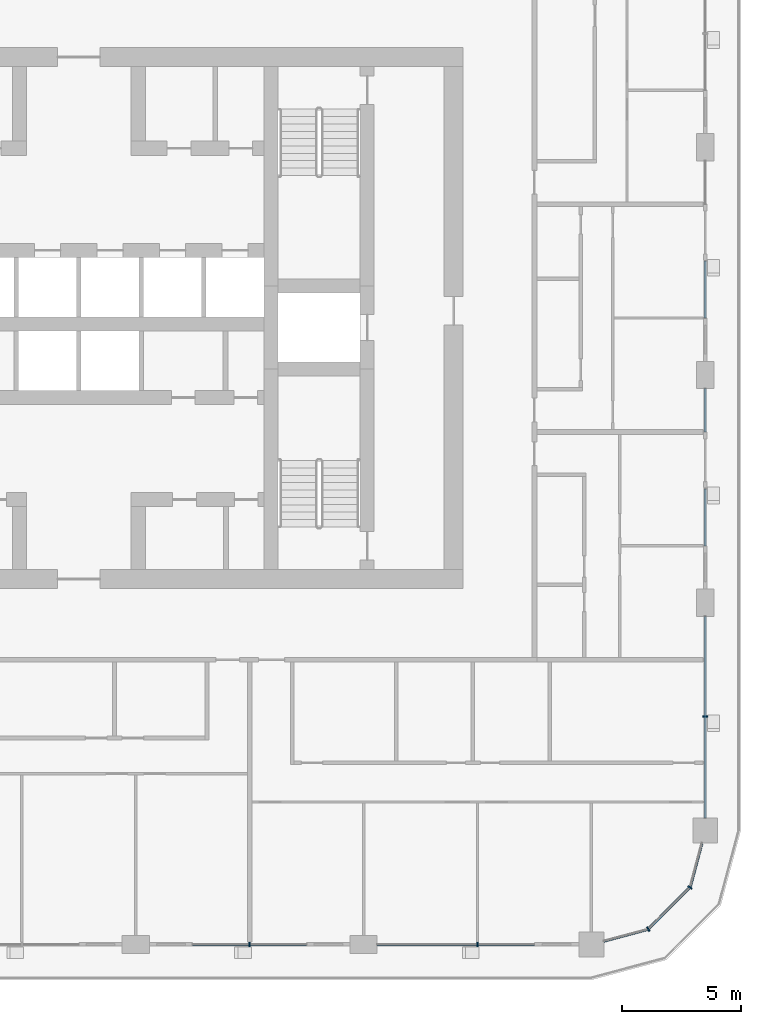
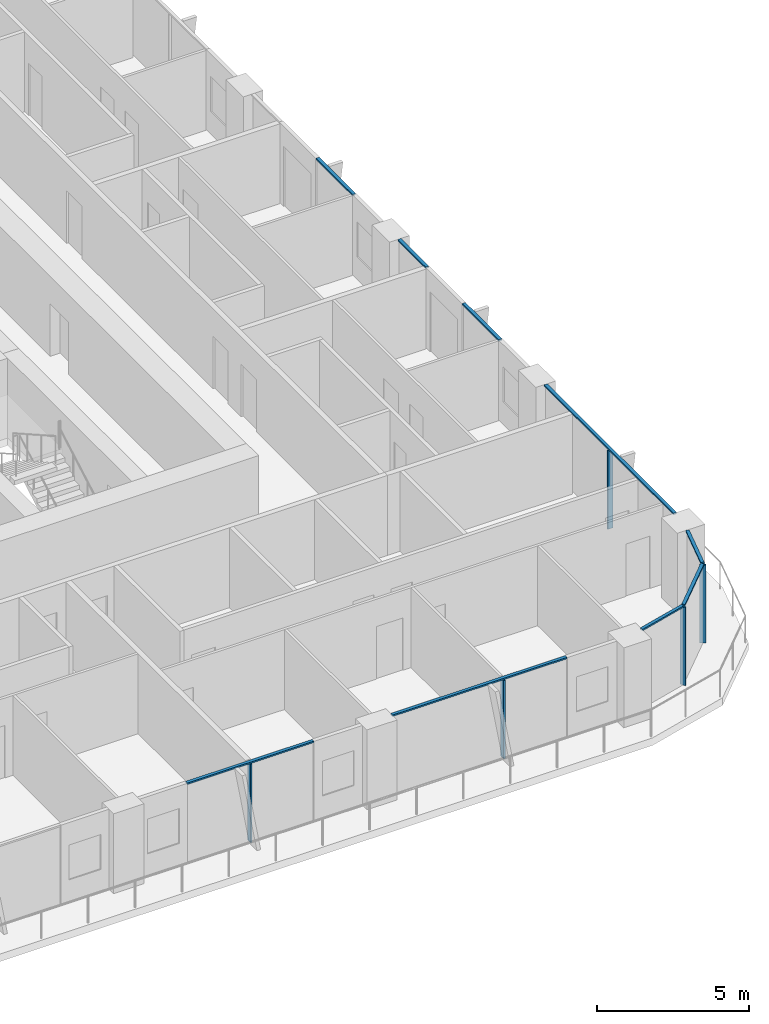
# One storey, part 4 of 22: 14 members, 6 elements without a shape of their own.
"""IFC4 building model written with IfcOpenShell, lengths in metres."""

from ifc_helpers import new_model, si_unit, direction, frame, origin, origin_2d, place, context, subcontext, project, spatial, rectangle, extrude, material, layer, layer_set, material_profile, profile_set, type_object, element, aggregate, save


model = new_model("IFC4")

# Units and contexts
model_context = context("Model", 3, precision=1e-05, world=origin(), true_north=direction((0.0, 1.0)))
body_context = subcontext(model_context, "Body", "Model", "MODEL_VIEW")
ifc_project = project(units=[si_unit("LENGTHUNIT", "METRE"), si_unit("AREAUNIT", "SQUARE_METRE"), si_unit("VOLUMEUNIT", "CUBIC_METRE"), si_unit("PLANEANGLEUNIT", "RADIAN"), si_unit("MASSUNIT", "GRAM", prefix="KILO")], contexts=[model_context])

# Site, building, storey
site_placement = place(None, origin())
site = spatial("IfcSite", under=ifc_project, at=site_placement, CompositionType="ELEMENT")
building_placement = place(site_placement, origin())
building = spatial("IfcBuilding", under=site, at=building_placement, Name="Madar Terraces", CompositionType="ELEMENT")
storey_placement = place(building_placement, frame((0.0, 0.0, 159.5)))
storey = spatial("IfcBuildingStorey", under=building, at=storey_placement, Name="L41", CompositionType="ELEMENT", Elevation=159.5)

# Curtain wall, member
ifc_material_1 = material(Name="Glass, ceramic frit dark grey, with black aluminium frame", Category="aluminium")
ifc_layer = layer(ifc_material_1, 0.199951171875)
ifc_layer_set = layer_set([ifc_layer], Name="Facade curtain wall, fritted glass")
curtain_wall_type = type_object("IfcCurtainWallType", Name="Facade curtain wall, fritted glass", PredefinedType="NOTDEFINED", material=ifc_layer_set)
curtain_wall_1_placement = place(storey_placement, origin())
curtain_wall_1 = element("IfcCurtainWall", 1, at=curtain_wall_1_placement, inside=storey, type_object=curtain_wall_type, Name="Outer skin curtain wall south bay 4", PredefinedType="NOTDEFINED")
ifc_material_2 = material(Name="Aluminium, black anodised", Category="aluminium")
ifc_material_profile_1 = material_profile(ifc_material_2, rectangle(XDim=0.199951171875, YDim=0.06005859375, at=origin_2d()), Name="Facade mullion 60x200")
ifc_profile_set_1 = profile_set([ifc_material_profile_1], Name="Aluminium, black anodised")
member_type_1 = type_object("IfcMemberType", Name="Facade mullion 60x200", PredefinedType="MULLION", material=ifc_profile_set_1)
member_1_placement = place(storey_placement, frame((38.39990234375, 0.0, 0.0), z_axis=(0.0, 0.0, 1.0), x_axis=(0.0, 1.0, 0.0)))
member_1 = element("IfcMember", 2, at=member_1_placement, type_object=member_type_1, Name="Mullion 1", PredefinedType="MULLION", context=body_context, shape_type="SweptSolid", body=[
    extrude(rectangle(XDim=0.199951171875, YDim=0.06005859375, at=origin_2d()), origin(), (0.0, 0.0, 1.0), 3.139892578125),
])

curtain_wall_2_placement = place(storey_placement, origin())
curtain_wall_2 = element("IfcCurtainWall", 3, at=curtain_wall_2_placement, inside=storey, type_object=curtain_wall_type, Name="Outer skin curtain wall south bay 5", PredefinedType="NOTDEFINED")
member_2_placement = place(storey_placement, frame((48.0, 0.0, 0.0), z_axis=(0.0, 0.0, 1.0), x_axis=(0.0, 1.0, 0.0)))
member_2 = element("IfcMember", 4, at=member_2_placement, type_object=member_type_1, Name="Mullion 1", PredefinedType="MULLION", context=body_context, shape_type="SweptSolid", body=[
    extrude(rectangle(XDim=0.199951171875, YDim=0.06005859375, at=origin_2d()), origin(), (0.0, 0.0, 1.0), 3.139892578125),
])

curtain_wall_3_placement = place(storey_placement, origin())
curtain_wall_3 = element("IfcCurtainWall", 5, at=curtain_wall_3_placement, inside=storey, type_object=curtain_wall_type, Name="Outer skin curtain wall east bay 1", PredefinedType="NOTDEFINED")
member_3_placement = place(storey_placement, frame((57.60009765625, 9.60009765625, 0.0), z_axis=(0.0, 0.0, 1.0), x_axis=(-1.0, 0.0, 0.0)))
member_3 = element("IfcMember", 6, at=member_3_placement, type_object=member_type_1, Name="Mullion 1", PredefinedType="MULLION", context=body_context, shape_type="SweptSolid", body=[
    extrude(rectangle(XDim=0.199951171875, YDim=0.06005859375, at=origin_2d()), origin(), (0.0, 0.0, 1.0), 3.139892578125),
])

# Curtain wall, members
curtain_wall_4_placement = place(storey_placement, origin())
curtain_wall_4 = element("IfcCurtainWall", 7, at=curtain_wall_4_placement, inside=storey, type_object=curtain_wall_type, Name="Outer skin curtain wall south-east corner", PredefinedType="NOTDEFINED")
member_4_placement = place(storey_placement, frame((55.199951171875, 0.64306640625, 0.0), z_axis=(0.0, 0.0, 1.0), x_axis=(-0.499999989586, 0.866025409797, 0.0)))
member_4 = element("IfcMember", 8, at=member_4_placement, type_object=member_type_1, Name="Mullion 1", PredefinedType="MULLION", context=body_context, shape_type="SweptSolid", body=[
    extrude(rectangle(XDim=0.199951171875, YDim=0.06005859375, at=origin_2d()), origin(), (0.0, 0.0, 1.0), 3.139892578125),
])
member_5_placement = place(storey_placement, frame((56.95703125, 2.39990234375, 0.0), z_axis=(0.0, 0.0, 1.0), x_axis=(-0.866025409797, 0.499999989586, 0.0)))
member_5 = element("IfcMember", 9, at=member_5_placement, type_object=member_type_1, Name="Mullion 2", PredefinedType="MULLION", context=body_context, shape_type="SweptSolid", body=[
    extrude(rectangle(XDim=0.199951171875, YDim=0.06005859375, at=origin_2d()), origin(), (0.0, 0.0, 1.0), 3.139892578125),
])

# Member
ifc_material_3 = material(Name="Aluminium, black anodised", Category="aluminium")
ifc_material_profile_2 = material_profile(ifc_material_3, rectangle(XDim=0.1201171875, YDim=0.06005859375, at=origin_2d()), Name="Facade transom 60x120")
ifc_profile_set_2 = profile_set([ifc_material_profile_2], Name="Aluminium, black anodised")
member_type_2 = type_object("IfcMemberType", Name="Facade transom 60x120", PredefinedType="USERDEFINED", material=ifc_profile_set_2)
member_6_placement = place(storey_placement, frame((36.0, 0.0, 3.169921875), z_axis=(1.0, 0.0, 0.0), x_axis=(0.0, 1.0, 0.0)))
member_6 = element("IfcMember", 10, at=member_6_placement, type_object=member_type_2, Name="Transom 1", ObjectType="TRANSOM", PredefinedType="USERDEFINED", context=body_context, shape_type="SweptSolid", body=[
    extrude(rectangle(XDim=0.1201171875, YDim=0.06005859375, at=origin_2d()), origin(), (0.0, 0.0, 1.0), 4.800048828125),
])

aggregate(curtain_wall_1, [member_1, member_6])

member_7_placement = place(storey_placement, frame((43.77490234375, 0.0, 3.169921875), z_axis=(1.0, 0.0, 0.0), x_axis=(0.0, 1.0, 0.0)))
member_7 = element("IfcMember", 11, at=member_7_placement, type_object=member_type_2, Name="Transom 1", ObjectType="TRANSOM", PredefinedType="USERDEFINED", context=body_context, shape_type="SweptSolid", body=[
    extrude(rectangle(XDim=0.1201171875, YDim=0.06005859375, at=origin_2d()), origin(), (0.0, 0.0, 1.0), 6.625),
])

aggregate(curtain_wall_2, [member_2, member_7])

member_8_placement = place(storey_placement, frame((57.60009765625, 5.324951171875, 3.169921875), z_axis=(0.0, 1.0, 0.0), x_axis=(-1.0, 0.0, 0.0)))
member_8 = element("IfcMember", 12, at=member_8_placement, type_object=member_type_2, Name="Transom 1", ObjectType="TRANSOM", PredefinedType="USERDEFINED", context=body_context, shape_type="SweptSolid", body=[
    extrude(rectangle(XDim=0.1201171875, YDim=0.06005859375, at=origin_2d()), origin(), (0.0, 0.0, 1.0), 8.5),
])

aggregate(curtain_wall_3, [member_3, member_8])

# Curtain wall, members
curtain_wall_5_placement = place(storey_placement, origin())
curtain_wall_5 = element("IfcCurtainWall", 13, at=curtain_wall_5_placement, inside=storey, type_object=curtain_wall_type, Name="Outer skin curtain wall east bay 2", PredefinedType="NOTDEFINED")
member_9_placement = place(storey_placement, frame((57.60009765625, 16.800048828125, 3.169921875), z_axis=(0.0, 1.0, 0.0), x_axis=(-1.0, 0.0, 0.0)))
member_9 = element("IfcMember", 14, at=member_9_placement, type_object=member_type_2, Name="Transom 1", ObjectType="TRANSOM", PredefinedType="USERDEFINED", context=body_context, shape_type="SweptSolid", body=[
    extrude(rectangle(XDim=0.1201171875, YDim=0.06005859375, at=origin_2d()), origin(), (0.0, 0.0, 1.0), 2.39990234375),
])
member_10_placement = place(storey_placement, frame((57.60009765625, 21.60009765625, 3.169921875), z_axis=(0.0, 1.0, 0.0), x_axis=(-1.0, 0.0, 0.0)))
member_10 = element("IfcMember", 15, at=member_10_placement, type_object=member_type_2, Name="Transom 2", ObjectType="TRANSOM", PredefinedType="USERDEFINED", context=body_context, shape_type="SweptSolid", body=[
    extrude(rectangle(XDim=0.1201171875, YDim=0.06005859375, at=origin_2d()), origin(), (0.0, 0.0, 1.0), 1.824951171875),
])
aggregate(curtain_wall_5, [member_9, member_10])

# Curtain wall, member
curtain_wall_6_placement = place(storey_placement, origin())
curtain_wall_6 = element("IfcCurtainWall", 16, at=curtain_wall_6_placement, inside=storey, type_object=curtain_wall_type, Name="Outer skin curtain wall east bay 3", PredefinedType="NOTDEFINED")
member_11_placement = place(storey_placement, frame((57.60009765625, 26.39990234375, 3.169921875), z_axis=(0.0, 1.0, 0.0), x_axis=(-1.0, 0.0, 0.0)))
member_11 = element("IfcMember", 17, at=member_11_placement, type_object=member_type_2, Name="Transom 1", ObjectType="TRANSOM", PredefinedType="USERDEFINED", context=body_context, shape_type="SweptSolid", body=[
    extrude(rectangle(XDim=0.1201171875, YDim=0.06005859375, at=origin_2d()), origin(), (0.0, 0.0, 1.0), 2.400146484375),
])
aggregate(curtain_wall_6, [member_11])

# Member
member_12_placement = place(storey_placement, frame((53.324951171875, 0.140625, 3.169921875), z_axis=(0.965933227928, 0.25879142023, 0.0), x_axis=(-0.25879142023, 0.965933227928, 0.0)))
member_12 = element("IfcMember", 18, at=member_12_placement, type_object=member_type_2, Name="Transom 1", ObjectType="TRANSOM", PredefinedType="USERDEFINED", context=body_context, shape_type="SweptSolid", body=[
    extrude(rectangle(XDim=0.1201171875, YDim=0.06005859375, at=origin_2d()), origin(), (0.0, 0.0, 1.0), 1.911376953125),
])

member_13_placement = place(storey_placement, frame((55.22119140625, 0.664306640625, 3.169921875), z_axis=(0.707106781187, 0.707106781187, 0.0), x_axis=(-0.707106781187, 0.707106781187, 0.0)))
member_13 = element("IfcMember", 19, at=member_13_placement, type_object=member_type_2, Name="Transom 2", ObjectType="TRANSOM", PredefinedType="USERDEFINED", context=body_context, shape_type="SweptSolid", body=[
    extrude(rectangle(XDim=0.1201171875, YDim=0.06005859375, at=origin_2d()), origin(), (0.0, 0.0, 1.0), 2.4248046875),
])

member_14_placement = place(storey_placement, frame((56.964599609375, 2.428955078125, 3.169921875), z_axis=(0.258823354654, 0.965924671538, 0.0), x_axis=(-0.965924671538, 0.258823354654, 0.0)))
member_14 = element("IfcMember", 20, at=member_14_placement, type_object=member_type_2, Name="Transom 3", ObjectType="TRANSOM", PredefinedType="USERDEFINED", context=body_context, shape_type="SweptSolid", body=[
    extrude(rectangle(XDim=0.1201171875, YDim=0.06005859375, at=origin_2d()), origin(), (0.0, 0.0, 1.0), 1.9111328125),
])

aggregate(curtain_wall_4, [member_4, member_12, member_5, member_13, member_14])

save(model, "model.ifc")
